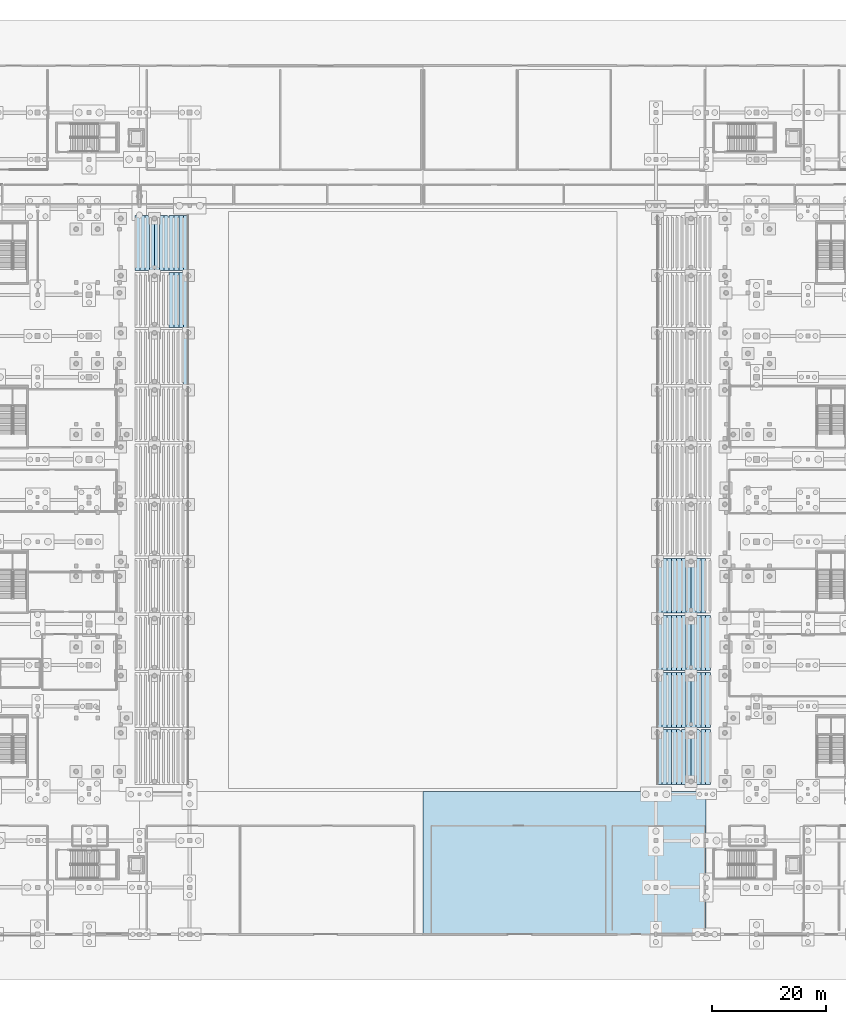
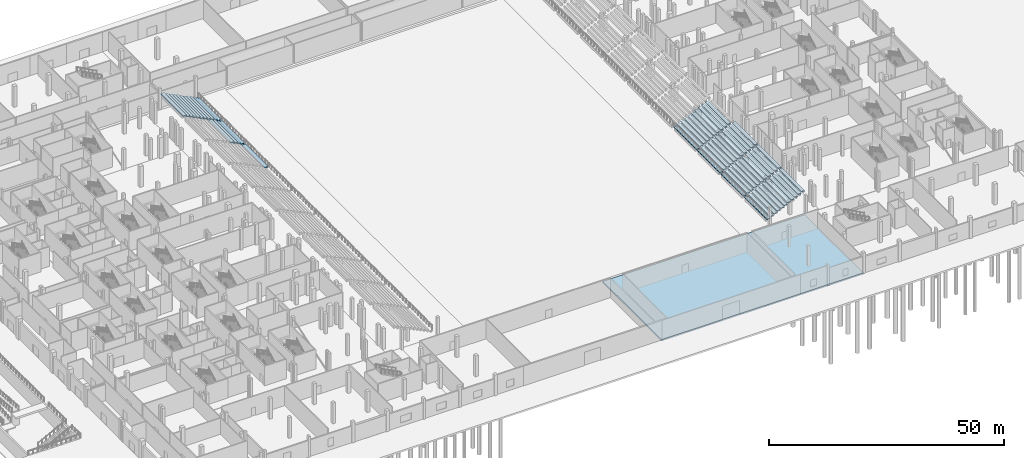
# One storey, part 25 of 89: 60 slabs.
"""IFC4 building model written with IfcOpenShell, lengths in metres."""

from ifc_helpers import new_model, si_unit, direction, frame, origin, place, context, subcontext, project, spatial, polyline, outline, extrude, material, layer, layer_set, type_object, element, save


model = new_model("IFC4")

# Units and contexts
model_context = context("Model", 3, precision=1e-05, world=origin(), true_north=direction((0.0, 1.0)))
body_context = subcontext(model_context, "Body", "Model", "MODEL_VIEW")
ifc_project = project(units=[si_unit("LENGTHUNIT", "METRE"), si_unit("AREAUNIT", "SQUARE_METRE"), si_unit("VOLUMEUNIT", "CUBIC_METRE"), si_unit("PLANEANGLEUNIT", "RADIAN"), si_unit("MASSUNIT", "GRAM", prefix="KILO")], contexts=[model_context])

# Site, building, storey
site_placement = place(None, origin())
site = spatial("IfcSite", under=ifc_project, at=site_placement, CompositionType="ELEMENT")
building_placement = place(site_placement, origin())
building = spatial("IfcBuilding", under=site, at=building_placement, Name="Koshinbarg Plaza Stadium", CompositionType="ELEMENT")
storey_placement = place(building_placement, origin())
storey = spatial("IfcBuildingStorey", under=building, at=storey_placement, Name="L00", CompositionType="ELEMENT", Elevation=0.0)

# Slabs
ifc_material_1 = material(Name="Concrete C35/45", Category="concrete")
ifc_layer_1 = layer(ifc_material_1, 0.39990234375)
ifc_layer_set_1 = layer_set([ifc_layer_1], Name="Concrete C35/45")
slab_type_1 = type_object("IfcSlabType", Name="SL-BASE-400", PredefinedType="BASESLAB", material=ifc_layer_set_1)
slab_1_placement = place(storey_placement, frame((0.0, 0.0, -0.39990234375)))
element("IfcSlab", 1, at=slab_1_placement, inside=storey, type_object=slab_type_1, Name="L00 V4 structural slab 16", PredefinedType="BASESLAB", context=body_context, shape_type="SweptSolid", body=[
    extrude(outline(polyline([(122.0, 0.0), (171.60009765625, 0.0), (171.60009765625, 24.955078125), (122.0, 24.955078125), (122.0, 0.0)])), origin(), (0.0, 0.0, 1.0), 0.39990234375),
])
ifc_material_2 = material(Name="Precast concrete C40/50", Category="concrete")
ifc_layer_2 = layer(ifc_material_2, 0.219970703125)
ifc_layer_set_2 = layer_set([ifc_layer_2], Name="Precast concrete C40/50")
slab_type_2 = type_object("IfcSlabType", Name="SL-TIER-LT", PredefinedType="USERDEFINED", material=ifc_layer_set_2)
slab_2_placement = place(storey_placement, frame((0.0, 0.0, 0.800048828125)))
element("IfcSlab", 2, at=slab_2_placement, inside=storey, type_object=slab_type_2, Name="Stand lower seating tier LT-W08 row 1", ObjectType="SEATING TIER", PredefinedType="USERDEFINED", context=body_context, shape_type="SweptSolid", body=[
    extrude(outline(polyline([(80.14990234375, 96.199951171875), (81.0, 96.199951171875), (81.0, 105.800048828125), (80.14990234375, 105.800048828125), (80.14990234375, 96.199951171875)])), origin(), (0.0, 0.0, 1.0), 0.219970703125),
])
slab_3_placement = place(storey_placement, frame((0.0, 0.0, 0.800048828125)))
element("IfcSlab", 3, at=slab_3_placement, inside=storey, type_object=slab_type_2, Name="Stand lower seating tier LT-W09 row 1", ObjectType="SEATING TIER", PredefinedType="USERDEFINED", context=body_context, shape_type="SweptSolid", body=[
    extrude(outline(polyline([(80.14990234375, 106.199951171875), (81.0, 106.199951171875), (81.0, 115.800048828125), (80.14990234375, 115.800048828125), (80.14990234375, 106.199951171875)])), origin(), (0.0, 0.0, 1.0), 0.219970703125),
])
slab_4_placement = place(storey_placement, frame((0.0, 0.0, 1.219970703125)))
element("IfcSlab", 4, at=slab_4_placement, inside=storey, type_object=slab_type_2, Name="Stand lower seating tier LT-W09 row 2", ObjectType="SEATING TIER", PredefinedType="USERDEFINED", context=body_context, shape_type="SweptSolid", body=[
    extrude(outline(polyline([(79.300048828125, 106.199951171875), (80.14990234375, 106.199951171875), (80.14990234375, 115.800048828125), (79.300048828125, 115.800048828125), (79.300048828125, 106.199951171875)])), origin(), (0.0, 0.0, 1.0), 0.219970703125),
])
slab_5_placement = place(storey_placement, frame((0.0, 0.0, 1.639892578125)))
element("IfcSlab", 5, at=slab_5_placement, inside=storey, type_object=slab_type_2, Name="Stand lower seating tier LT-W09 row 3", ObjectType="SEATING TIER", PredefinedType="USERDEFINED", context=body_context, shape_type="SweptSolid", body=[
    extrude(outline(polyline([(78.449951171875, 106.199951171875), (79.300048828125, 106.199951171875), (79.300048828125, 115.800048828125), (78.449951171875, 115.800048828125), (78.449951171875, 106.199951171875)])), origin(), (0.0, 0.0, 1.0), 0.22021484375),
])
slab_6_placement = place(storey_placement, frame((0.0, 0.0, 2.06005859375)))
element("IfcSlab", 6, at=slab_6_placement, inside=storey, type_object=slab_type_2, Name="Stand lower seating tier LT-W09 row 4", ObjectType="SEATING TIER", PredefinedType="USERDEFINED", context=body_context, shape_type="SweptSolid", body=[
    extrude(outline(polyline([(77.60009765625, 106.199951171875), (78.449951171875, 106.199951171875), (78.449951171875, 115.800048828125), (77.60009765625, 115.800048828125), (77.60009765625, 106.199951171875)])), origin(), (0.0, 0.0, 1.0), 0.219970703125),
])
slab_7_placement = place(storey_placement, frame((0.0, 0.0, 0.800048828125)))
element("IfcSlab", 7, at=slab_7_placement, inside=storey, type_object=slab_type_2, Name="Stand lower seating tier LT-W10 row 1", ObjectType="SEATING TIER", PredefinedType="USERDEFINED", context=body_context, shape_type="SweptSolid", body=[
    extrude(outline(polyline([(80.14990234375, 116.199951171875), (81.0, 116.199951171875), (81.0, 125.449951171875), (80.64990234375, 125.800048828125), (80.14990234375, 125.800048828125), (80.14990234375, 116.199951171875)])), origin(), (0.0, 0.0, 1.0), 0.219970703125),
])
slab_8_placement = place(storey_placement, frame((0.0, 0.0, 1.219970703125)))
element("IfcSlab", 8, at=slab_8_placement, inside=storey, type_object=slab_type_2, Name="Stand lower seating tier LT-W10 row 2", ObjectType="SEATING TIER", PredefinedType="USERDEFINED", context=body_context, shape_type="SweptSolid", body=[
    extrude(outline(polyline([(79.300048828125, 116.199951171875), (80.14990234375, 116.199951171875), (80.14990234375, 125.800048828125), (79.300048828125, 125.800048828125), (79.300048828125, 116.199951171875)])), origin(), (0.0, 0.0, 1.0), 0.219970703125),
])
slab_9_placement = place(storey_placement, frame((0.0, 0.0, 1.639892578125)))
element("IfcSlab", 9, at=slab_9_placement, inside=storey, type_object=slab_type_2, Name="Stand lower seating tier LT-W10 row 3", ObjectType="SEATING TIER", PredefinedType="USERDEFINED", context=body_context, shape_type="SweptSolid", body=[
    extrude(outline(polyline([(78.449951171875, 116.199951171875), (79.300048828125, 116.199951171875), (79.300048828125, 125.800048828125), (78.449951171875, 125.800048828125), (78.449951171875, 116.199951171875)])), origin(), (0.0, 0.0, 1.0), 0.22021484375),
])
slab_10_placement = place(storey_placement, frame((0.0, 0.0, 2.06005859375)))
element("IfcSlab", 10, at=slab_10_placement, inside=storey, type_object=slab_type_2, Name="Stand lower seating tier LT-W10 row 4", ObjectType="SEATING TIER", PredefinedType="USERDEFINED", context=body_context, shape_type="SweptSolid", body=[
    extrude(outline(polyline([(77.60009765625, 116.199951171875), (78.449951171875, 116.199951171875), (78.449951171875, 125.800048828125), (77.60009765625, 125.800048828125), (77.60009765625, 116.199951171875)])), origin(), (0.0, 0.0, 1.0), 0.219970703125),
])
slab_11_placement = place(storey_placement, frame((0.0, 0.0, 2.47998046875)))
element("IfcSlab", 11, at=slab_11_placement, inside=storey, type_object=slab_type_2, Name="Stand lower seating tier LT-W10 row 5", ObjectType="SEATING TIER", PredefinedType="USERDEFINED", context=body_context, shape_type="SweptSolid", body=[
    extrude(outline(polyline([(76.75, 116.199951171875), (77.60009765625, 116.199951171875), (77.60009765625, 125.449951171875), (77.25, 125.800048828125), (76.75, 125.800048828125), (76.75, 116.199951171875)])), origin(), (0.0, 0.0, 1.0), 0.219970703125),
])
slab_12_placement = place(storey_placement, frame((0.0, 0.0, 2.89990234375)))
element("IfcSlab", 12, at=slab_12_placement, inside=storey, type_object=slab_type_2, Name="Stand lower seating tier LT-W10 row 6", ObjectType="SEATING TIER", PredefinedType="USERDEFINED", context=body_context, shape_type="SweptSolid", body=[
    extrude(outline(polyline([(75.89990234375, 116.199951171875), (76.75, 116.199951171875), (76.75, 125.800048828125), (75.89990234375, 125.800048828125), (75.89990234375, 116.199951171875)])), origin(), (0.0, 0.0, 1.0), 0.22021484375),
])
slab_13_placement = place(storey_placement, frame((0.0, 0.0, 3.320068359375)))
element("IfcSlab", 13, at=slab_13_placement, inside=storey, type_object=slab_type_2, Name="Stand lower seating tier LT-W10 row 7", ObjectType="SEATING TIER", PredefinedType="USERDEFINED", context=body_context, shape_type="SweptSolid", body=[
    extrude(outline(polyline([(75.050048828125, 116.199951171875), (75.89990234375, 116.199951171875), (75.89990234375, 125.800048828125), (75.050048828125, 125.800048828125), (75.050048828125, 116.199951171875)])), origin(), (0.0, 0.0, 1.0), 0.219970703125),
])
slab_14_placement = place(storey_placement, frame((0.0, 0.0, 3.739990234375)))
element("IfcSlab", 14, at=slab_14_placement, inside=storey, type_object=slab_type_2, Name="Stand lower seating tier LT-W10 row 8", ObjectType="SEATING TIER", PredefinedType="USERDEFINED", context=body_context, shape_type="SweptSolid", body=[
    extrude(outline(polyline([(74.199951171875, 116.199951171875), (75.050048828125, 116.199951171875), (75.050048828125, 125.800048828125), (74.199951171875, 125.800048828125), (74.199951171875, 116.199951171875)])), origin(), (0.0, 0.0, 1.0), 0.219970703125),
])
slab_15_placement = place(storey_placement, frame((0.0, 0.0, 4.159912109375)))
element("IfcSlab", 15, at=slab_15_placement, inside=storey, type_object=slab_type_2, Name="Stand lower seating tier LT-W10 row 9", ObjectType="SEATING TIER", PredefinedType="USERDEFINED", context=body_context, shape_type="SweptSolid", body=[
    extrude(outline(polyline([(73.35009765625, 116.199951171875), (74.199951171875, 116.199951171875), (74.199951171875, 125.449951171875), (73.85009765625, 125.800048828125), (73.35009765625, 125.800048828125), (73.35009765625, 116.199951171875)])), origin(), (0.0, 0.0, 1.0), 0.219970703125),
])
slab_16_placement = place(storey_placement, frame((0.0, 0.0, 4.580078125)))
element("IfcSlab", 16, at=slab_16_placement, inside=storey, type_object=slab_type_2, Name="Stand lower seating tier LT-W10 row 10", ObjectType="SEATING TIER", PredefinedType="USERDEFINED", context=body_context, shape_type="SweptSolid", body=[
    extrude(outline(polyline([(72.5, 116.199951171875), (73.35009765625, 116.199951171875), (73.35009765625, 125.800048828125), (72.5, 125.800048828125), (72.5, 116.199951171875)])), origin(), (0.0, 0.0, 1.0), 0.219970703125),
])
slab_17_placement = place(storey_placement, frame((0.0, 0.0, 5.0)))
element("IfcSlab", 17, at=slab_17_placement, inside=storey, type_object=slab_type_2, Name="Stand lower seating tier LT-W10 row 11", ObjectType="SEATING TIER", PredefinedType="USERDEFINED", context=body_context, shape_type="SweptSolid", body=[
    extrude(outline(polyline([(71.64990234375, 116.199951171875), (72.5, 116.199951171875), (72.5, 125.800048828125), (71.64990234375, 125.800048828125), (71.64990234375, 116.199951171875)])), origin(), (0.0, 0.0, 1.0), 0.219970703125),
])
slab_18_placement = place(storey_placement, frame((0.0, 0.0, 0.800048828125)))
element("IfcSlab", 18, at=slab_18_placement, inside=storey, type_object=slab_type_2, Name="Stand lower seating tier LT-E01 row 1", ObjectType="SEATING TIER", PredefinedType="USERDEFINED", context=body_context, shape_type="SweptSolid", body=[
    extrude(outline(polyline([(163.0, 26.199951171875), (163.85009765625, 26.199951171875), (163.85009765625, 35.449951171875), (163.5, 35.800048828125), (163.0, 35.800048828125), (163.0, 26.199951171875)])), origin(), (0.0, 0.0, 1.0), 0.219970703125),
])
slab_19_placement = place(storey_placement, frame((0.0, 0.0, 1.219970703125)))
element("IfcSlab", 19, at=slab_19_placement, inside=storey, type_object=slab_type_2, Name="Stand lower seating tier LT-E01 row 2", ObjectType="SEATING TIER", PredefinedType="USERDEFINED", context=body_context, shape_type="SweptSolid", body=[
    extrude(outline(polyline([(163.85009765625, 26.199951171875), (164.699951171875, 26.199951171875), (164.699951171875, 35.800048828125), (163.85009765625, 35.800048828125), (163.85009765625, 26.199951171875)])), origin(), (0.0, 0.0, 1.0), 0.219970703125),
])
slab_20_placement = place(storey_placement, frame((0.0, 0.0, 1.639892578125)))
element("IfcSlab", 20, at=slab_20_placement, inside=storey, type_object=slab_type_2, Name="Stand lower seating tier LT-E01 row 3", ObjectType="SEATING TIER", PredefinedType="USERDEFINED", context=body_context, shape_type="SweptSolid", body=[
    extrude(outline(polyline([(164.699951171875, 26.199951171875), (165.550048828125, 26.199951171875), (165.550048828125, 35.800048828125), (164.699951171875, 35.800048828125), (164.699951171875, 26.199951171875)])), origin(), (0.0, 0.0, 1.0), 0.22021484375),
])
slab_21_placement = place(storey_placement, frame((0.0, 0.0, 2.06005859375)))
element("IfcSlab", 21, at=slab_21_placement, inside=storey, type_object=slab_type_2, Name="Stand lower seating tier LT-E01 row 4", ObjectType="SEATING TIER", PredefinedType="USERDEFINED", context=body_context, shape_type="SweptSolid", body=[
    extrude(outline(polyline([(165.550048828125, 26.199951171875), (166.39990234375, 26.199951171875), (166.39990234375, 35.800048828125), (165.550048828125, 35.800048828125), (165.550048828125, 26.199951171875)])), origin(), (0.0, 0.0, 1.0), 0.219970703125),
])
slab_22_placement = place(storey_placement, frame((0.0, 0.0, 2.47998046875)))
element("IfcSlab", 22, at=slab_22_placement, inside=storey, type_object=slab_type_2, Name="Stand lower seating tier LT-E01 row 5", ObjectType="SEATING TIER", PredefinedType="USERDEFINED", context=body_context, shape_type="SweptSolid", body=[
    extrude(outline(polyline([(166.39990234375, 26.199951171875), (167.25, 26.199951171875), (167.25, 35.449951171875), (166.89990234375, 35.800048828125), (166.39990234375, 35.800048828125), (166.39990234375, 26.199951171875)])), origin(), (0.0, 0.0, 1.0), 0.219970703125),
])
slab_23_placement = place(storey_placement, frame((0.0, 0.0, 2.89990234375)))
element("IfcSlab", 23, at=slab_23_placement, inside=storey, type_object=slab_type_2, Name="Stand lower seating tier LT-E01 row 6", ObjectType="SEATING TIER", PredefinedType="USERDEFINED", context=body_context, shape_type="SweptSolid", body=[
    extrude(outline(polyline([(167.25, 26.199951171875), (168.10009765625, 26.199951171875), (168.10009765625, 35.800048828125), (167.25, 35.800048828125), (167.25, 26.199951171875)])), origin(), (0.0, 0.0, 1.0), 0.22021484375),
])
slab_24_placement = place(storey_placement, frame((0.0, 0.0, 3.320068359375)))
element("IfcSlab", 24, at=slab_24_placement, inside=storey, type_object=slab_type_2, Name="Stand lower seating tier LT-E01 row 7", ObjectType="SEATING TIER", PredefinedType="USERDEFINED", context=body_context, shape_type="SweptSolid", body=[
    extrude(outline(polyline([(168.10009765625, 26.199951171875), (168.949951171875, 26.199951171875), (168.949951171875, 35.800048828125), (168.10009765625, 35.800048828125), (168.10009765625, 26.199951171875)])), origin(), (0.0, 0.0, 1.0), 0.219970703125),
])
slab_25_placement = place(storey_placement, frame((0.0, 0.0, 3.739990234375)))
element("IfcSlab", 25, at=slab_25_placement, inside=storey, type_object=slab_type_2, Name="Stand lower seating tier LT-E01 row 8", ObjectType="SEATING TIER", PredefinedType="USERDEFINED", context=body_context, shape_type="SweptSolid", body=[
    extrude(outline(polyline([(168.949951171875, 26.199951171875), (169.800048828125, 26.199951171875), (169.800048828125, 35.800048828125), (168.949951171875, 35.800048828125), (168.949951171875, 26.199951171875)])), origin(), (0.0, 0.0, 1.0), 0.219970703125),
])
slab_26_placement = place(storey_placement, frame((0.0, 0.0, 4.159912109375)))
element("IfcSlab", 26, at=slab_26_placement, inside=storey, type_object=slab_type_2, Name="Stand lower seating tier LT-E01 row 9", ObjectType="SEATING TIER", PredefinedType="USERDEFINED", context=body_context, shape_type="SweptSolid", body=[
    extrude(outline(polyline([(169.800048828125, 26.199951171875), (170.64990234375, 26.199951171875), (170.64990234375, 35.449951171875), (170.300048828125, 35.800048828125), (169.800048828125, 35.800048828125), (169.800048828125, 26.199951171875)])), origin(), (0.0, 0.0, 1.0), 0.219970703125),
])
slab_27_placement = place(storey_placement, frame((0.0, 0.0, 4.580078125)))
element("IfcSlab", 27, at=slab_27_placement, inside=storey, type_object=slab_type_2, Name="Stand lower seating tier LT-E01 row 10", ObjectType="SEATING TIER", PredefinedType="USERDEFINED", context=body_context, shape_type="SweptSolid", body=[
    extrude(outline(polyline([(170.64990234375, 26.199951171875), (171.5, 26.199951171875), (171.5, 35.800048828125), (170.64990234375, 35.800048828125), (170.64990234375, 26.199951171875)])), origin(), (0.0, 0.0, 1.0), 0.219970703125),
])
slab_28_placement = place(storey_placement, frame((0.0, 0.0, 5.0)))
element("IfcSlab", 28, at=slab_28_placement, inside=storey, type_object=slab_type_2, Name="Stand lower seating tier LT-E01 row 11", ObjectType="SEATING TIER", PredefinedType="USERDEFINED", context=body_context, shape_type="SweptSolid", body=[
    extrude(outline(polyline([(171.5, 26.199951171875), (172.35009765625, 26.199951171875), (172.35009765625, 35.800048828125), (171.5, 35.800048828125), (171.5, 26.199951171875)])), origin(), (0.0, 0.0, 1.0), 0.219970703125),
])
slab_29_placement = place(storey_placement, frame((0.0, 0.0, 0.800048828125)))
element("IfcSlab", 29, at=slab_29_placement, inside=storey, type_object=slab_type_2, Name="Stand lower seating tier LT-E02 row 1", ObjectType="SEATING TIER", PredefinedType="USERDEFINED", context=body_context, shape_type="SweptSolid", body=[
    extrude(outline(polyline([(163.0, 36.199951171875), (163.85009765625, 36.199951171875), (163.85009765625, 45.800048828125), (163.0, 45.800048828125), (163.0, 36.199951171875)])), origin(), (0.0, 0.0, 1.0), 0.219970703125),
])
slab_30_placement = place(storey_placement, frame((0.0, 0.0, 1.219970703125)))
element("IfcSlab", 30, at=slab_30_placement, inside=storey, type_object=slab_type_2, Name="Stand lower seating tier LT-E02 row 2", ObjectType="SEATING TIER", PredefinedType="USERDEFINED", context=body_context, shape_type="SweptSolid", body=[
    extrude(outline(polyline([(163.85009765625, 36.199951171875), (164.699951171875, 36.199951171875), (164.699951171875, 45.800048828125), (163.85009765625, 45.800048828125), (163.85009765625, 36.199951171875)])), origin(), (0.0, 0.0, 1.0), 0.219970703125),
])
slab_31_placement = place(storey_placement, frame((0.0, 0.0, 1.639892578125)))
element("IfcSlab", 31, at=slab_31_placement, inside=storey, type_object=slab_type_2, Name="Stand lower seating tier LT-E02 row 3", ObjectType="SEATING TIER", PredefinedType="USERDEFINED", context=body_context, shape_type="SweptSolid", body=[
    extrude(outline(polyline([(164.699951171875, 36.199951171875), (165.550048828125, 36.199951171875), (165.550048828125, 45.800048828125), (164.699951171875, 45.800048828125), (164.699951171875, 36.199951171875)])), origin(), (0.0, 0.0, 1.0), 0.22021484375),
])
slab_32_placement = place(storey_placement, frame((0.0, 0.0, 2.06005859375)))
element("IfcSlab", 32, at=slab_32_placement, inside=storey, type_object=slab_type_2, Name="Stand lower seating tier LT-E02 row 4", ObjectType="SEATING TIER", PredefinedType="USERDEFINED", context=body_context, shape_type="SweptSolid", body=[
    extrude(outline(polyline([(165.550048828125, 36.199951171875), (166.39990234375, 36.199951171875), (166.39990234375, 45.800048828125), (165.550048828125, 45.800048828125), (165.550048828125, 36.199951171875)])), origin(), (0.0, 0.0, 1.0), 0.219970703125),
])
slab_33_placement = place(storey_placement, frame((0.0, 0.0, 2.47998046875)))
element("IfcSlab", 33, at=slab_33_placement, inside=storey, type_object=slab_type_2, Name="Stand lower seating tier LT-E02 row 5", ObjectType="SEATING TIER", PredefinedType="USERDEFINED", context=body_context, shape_type="SweptSolid", body=[
    extrude(outline(polyline([(166.39990234375, 36.199951171875), (167.25, 36.199951171875), (167.25, 45.800048828125), (166.39990234375, 45.800048828125), (166.39990234375, 36.199951171875)])), origin(), (0.0, 0.0, 1.0), 0.219970703125),
])
slab_34_placement = place(storey_placement, frame((0.0, 0.0, 2.89990234375)))
element("IfcSlab", 34, at=slab_34_placement, inside=storey, type_object=slab_type_2, Name="Stand lower seating tier LT-E02 row 6", ObjectType="SEATING TIER", PredefinedType="USERDEFINED", context=body_context, shape_type="SweptSolid", body=[
    extrude(outline(polyline([(167.25, 36.199951171875), (168.10009765625, 36.199951171875), (168.10009765625, 45.800048828125), (167.25, 45.800048828125), (167.25, 36.199951171875)])), origin(), (0.0, 0.0, 1.0), 0.22021484375),
])
slab_35_placement = place(storey_placement, frame((0.0, 0.0, 3.320068359375)))
element("IfcSlab", 35, at=slab_35_placement, inside=storey, type_object=slab_type_2, Name="Stand lower seating tier LT-E02 row 7", ObjectType="SEATING TIER", PredefinedType="USERDEFINED", context=body_context, shape_type="SweptSolid", body=[
    extrude(outline(polyline([(168.10009765625, 36.199951171875), (168.949951171875, 36.199951171875), (168.949951171875, 45.800048828125), (168.10009765625, 45.800048828125), (168.10009765625, 36.199951171875)])), origin(), (0.0, 0.0, 1.0), 0.219970703125),
])
slab_36_placement = place(storey_placement, frame((0.0, 0.0, 3.739990234375)))
element("IfcSlab", 36, at=slab_36_placement, inside=storey, type_object=slab_type_2, Name="Stand lower seating tier LT-E02 row 8", ObjectType="SEATING TIER", PredefinedType="USERDEFINED", context=body_context, shape_type="SweptSolid", body=[
    extrude(outline(polyline([(168.949951171875, 36.199951171875), (169.800048828125, 36.199951171875), (169.800048828125, 45.800048828125), (168.949951171875, 45.800048828125), (168.949951171875, 36.199951171875)])), origin(), (0.0, 0.0, 1.0), 0.219970703125),
])
slab_37_placement = place(storey_placement, frame((0.0, 0.0, 4.159912109375)))
element("IfcSlab", 37, at=slab_37_placement, inside=storey, type_object=slab_type_2, Name="Stand lower seating tier LT-E02 row 9", ObjectType="SEATING TIER", PredefinedType="USERDEFINED", context=body_context, shape_type="SweptSolid", body=[
    extrude(outline(polyline([(169.800048828125, 36.199951171875), (170.64990234375, 36.199951171875), (170.64990234375, 45.800048828125), (169.800048828125, 45.800048828125), (169.800048828125, 36.199951171875)])), origin(), (0.0, 0.0, 1.0), 0.219970703125),
])
slab_38_placement = place(storey_placement, frame((0.0, 0.0, 4.580078125)))
element("IfcSlab", 38, at=slab_38_placement, inside=storey, type_object=slab_type_2, Name="Stand lower seating tier LT-E02 row 10", ObjectType="SEATING TIER", PredefinedType="USERDEFINED", context=body_context, shape_type="SweptSolid", body=[
    extrude(outline(polyline([(170.64990234375, 36.199951171875), (171.5, 36.199951171875), (171.5, 45.800048828125), (170.64990234375, 45.800048828125), (170.64990234375, 36.199951171875)])), origin(), (0.0, 0.0, 1.0), 0.219970703125),
])
slab_39_placement = place(storey_placement, frame((0.0, 0.0, 5.0)))
element("IfcSlab", 39, at=slab_39_placement, inside=storey, type_object=slab_type_2, Name="Stand lower seating tier LT-E02 row 11", ObjectType="SEATING TIER", PredefinedType="USERDEFINED", context=body_context, shape_type="SweptSolid", body=[
    extrude(outline(polyline([(171.5, 36.199951171875), (172.35009765625, 36.199951171875), (172.35009765625, 45.800048828125), (171.5, 45.800048828125), (171.5, 36.199951171875)])), origin(), (0.0, 0.0, 1.0), 0.219970703125),
])
slab_40_placement = place(storey_placement, frame((0.0, 0.0, 0.800048828125)))
element("IfcSlab", 40, at=slab_40_placement, inside=storey, type_object=slab_type_2, Name="Stand lower seating tier LT-E03 row 1", ObjectType="SEATING TIER", PredefinedType="USERDEFINED", context=body_context, shape_type="SweptSolid", body=[
    extrude(outline(polyline([(163.0, 46.199951171875), (163.85009765625, 46.199951171875), (163.85009765625, 55.800048828125), (163.0, 55.800048828125), (163.0, 46.199951171875)])), origin(), (0.0, 0.0, 1.0), 0.219970703125),
])
slab_41_placement = place(storey_placement, frame((0.0, 0.0, 1.219970703125)))
element("IfcSlab", 41, at=slab_41_placement, inside=storey, type_object=slab_type_2, Name="Stand lower seating tier LT-E03 row 2", ObjectType="SEATING TIER", PredefinedType="USERDEFINED", context=body_context, shape_type="SweptSolid", body=[
    extrude(outline(polyline([(163.85009765625, 46.199951171875), (164.699951171875, 46.199951171875), (164.699951171875, 55.800048828125), (163.85009765625, 55.800048828125), (163.85009765625, 46.199951171875)])), origin(), (0.0, 0.0, 1.0), 0.219970703125),
])
slab_42_placement = place(storey_placement, frame((0.0, 0.0, 1.639892578125)))
element("IfcSlab", 42, at=slab_42_placement, inside=storey, type_object=slab_type_2, Name="Stand lower seating tier LT-E03 row 3", ObjectType="SEATING TIER", PredefinedType="USERDEFINED", context=body_context, shape_type="SweptSolid", body=[
    extrude(outline(polyline([(164.699951171875, 46.199951171875), (165.550048828125, 46.199951171875), (165.550048828125, 55.800048828125), (164.699951171875, 55.800048828125), (164.699951171875, 46.199951171875)])), origin(), (0.0, 0.0, 1.0), 0.22021484375),
])
slab_43_placement = place(storey_placement, frame((0.0, 0.0, 2.06005859375)))
element("IfcSlab", 43, at=slab_43_placement, inside=storey, type_object=slab_type_2, Name="Stand lower seating tier LT-E03 row 4", ObjectType="SEATING TIER", PredefinedType="USERDEFINED", context=body_context, shape_type="SweptSolid", body=[
    extrude(outline(polyline([(165.550048828125, 46.199951171875), (166.39990234375, 46.199951171875), (166.39990234375, 55.800048828125), (165.550048828125, 55.800048828125), (165.550048828125, 46.199951171875)])), origin(), (0.0, 0.0, 1.0), 0.219970703125),
])
slab_44_placement = place(storey_placement, frame((0.0, 0.0, 2.47998046875)))
element("IfcSlab", 44, at=slab_44_placement, inside=storey, type_object=slab_type_2, Name="Stand lower seating tier LT-E03 row 5", ObjectType="SEATING TIER", PredefinedType="USERDEFINED", context=body_context, shape_type="SweptSolid", body=[
    extrude(outline(polyline([(166.39990234375, 46.199951171875), (167.25, 46.199951171875), (167.25, 55.800048828125), (166.39990234375, 55.800048828125), (166.39990234375, 46.199951171875)])), origin(), (0.0, 0.0, 1.0), 0.219970703125),
])
slab_45_placement = place(storey_placement, frame((0.0, 0.0, 2.89990234375)))
element("IfcSlab", 45, at=slab_45_placement, inside=storey, type_object=slab_type_2, Name="Stand lower seating tier LT-E03 row 6", ObjectType="SEATING TIER", PredefinedType="USERDEFINED", context=body_context, shape_type="SweptSolid", body=[
    extrude(outline(polyline([(167.25, 46.199951171875), (168.10009765625, 46.199951171875), (168.10009765625, 55.800048828125), (167.25, 55.800048828125), (167.25, 46.199951171875)])), origin(), (0.0, 0.0, 1.0), 0.22021484375),
])
slab_46_placement = place(storey_placement, frame((0.0, 0.0, 3.320068359375)))
element("IfcSlab", 46, at=slab_46_placement, inside=storey, type_object=slab_type_2, Name="Stand lower seating tier LT-E03 row 7", ObjectType="SEATING TIER", PredefinedType="USERDEFINED", context=body_context, shape_type="SweptSolid", body=[
    extrude(outline(polyline([(168.10009765625, 46.199951171875), (168.949951171875, 46.199951171875), (168.949951171875, 55.800048828125), (168.10009765625, 55.800048828125), (168.10009765625, 46.199951171875)])), origin(), (0.0, 0.0, 1.0), 0.219970703125),
])
slab_47_placement = place(storey_placement, frame((0.0, 0.0, 3.739990234375)))
element("IfcSlab", 47, at=slab_47_placement, inside=storey, type_object=slab_type_2, Name="Stand lower seating tier LT-E03 row 8", ObjectType="SEATING TIER", PredefinedType="USERDEFINED", context=body_context, shape_type="SweptSolid", body=[
    extrude(outline(polyline([(168.949951171875, 46.199951171875), (169.800048828125, 46.199951171875), (169.800048828125, 55.800048828125), (168.949951171875, 55.800048828125), (168.949951171875, 46.199951171875)])), origin(), (0.0, 0.0, 1.0), 0.219970703125),
])
slab_48_placement = place(storey_placement, frame((0.0, 0.0, 4.159912109375)))
element("IfcSlab", 48, at=slab_48_placement, inside=storey, type_object=slab_type_2, Name="Stand lower seating tier LT-E03 row 9", ObjectType="SEATING TIER", PredefinedType="USERDEFINED", context=body_context, shape_type="SweptSolid", body=[
    extrude(outline(polyline([(169.800048828125, 46.199951171875), (170.64990234375, 46.199951171875), (170.64990234375, 55.800048828125), (169.800048828125, 55.800048828125), (169.800048828125, 46.199951171875)])), origin(), (0.0, 0.0, 1.0), 0.219970703125),
])
slab_49_placement = place(storey_placement, frame((0.0, 0.0, 4.580078125)))
element("IfcSlab", 49, at=slab_49_placement, inside=storey, type_object=slab_type_2, Name="Stand lower seating tier LT-E03 row 10", ObjectType="SEATING TIER", PredefinedType="USERDEFINED", context=body_context, shape_type="SweptSolid", body=[
    extrude(outline(polyline([(170.64990234375, 46.199951171875), (171.5, 46.199951171875), (171.5, 55.800048828125), (170.64990234375, 55.800048828125), (170.64990234375, 46.199951171875)])), origin(), (0.0, 0.0, 1.0), 0.219970703125),
])
slab_50_placement = place(storey_placement, frame((0.0, 0.0, 5.0)))
element("IfcSlab", 50, at=slab_50_placement, inside=storey, type_object=slab_type_2, Name="Stand lower seating tier LT-E03 row 11", ObjectType="SEATING TIER", PredefinedType="USERDEFINED", context=body_context, shape_type="SweptSolid", body=[
    extrude(outline(polyline([(171.5, 46.199951171875), (172.35009765625, 46.199951171875), (172.35009765625, 55.800048828125), (171.5, 55.800048828125), (171.5, 46.199951171875)])), origin(), (0.0, 0.0, 1.0), 0.219970703125),
])
slab_51_placement = place(storey_placement, frame((0.0, 0.0, 0.800048828125)))
element("IfcSlab", 51, at=slab_51_placement, inside=storey, type_object=slab_type_2, Name="Stand lower seating tier LT-E04 row 1", ObjectType="SEATING TIER", PredefinedType="USERDEFINED", context=body_context, shape_type="SweptSolid", body=[
    extrude(outline(polyline([(163.0, 56.199951171875), (163.85009765625, 56.199951171875), (163.85009765625, 65.800048828125), (163.0, 65.800048828125), (163.0, 56.199951171875)])), origin(), (0.0, 0.0, 1.0), 0.219970703125),
])
slab_52_placement = place(storey_placement, frame((0.0, 0.0, 1.219970703125)))
element("IfcSlab", 52, at=slab_52_placement, inside=storey, type_object=slab_type_2, Name="Stand lower seating tier LT-E04 row 2", ObjectType="SEATING TIER", PredefinedType="USERDEFINED", context=body_context, shape_type="SweptSolid", body=[
    extrude(outline(polyline([(163.85009765625, 56.199951171875), (164.699951171875, 56.199951171875), (164.699951171875, 65.800048828125), (163.85009765625, 65.800048828125), (163.85009765625, 56.199951171875)])), origin(), (0.0, 0.0, 1.0), 0.219970703125),
])
slab_53_placement = place(storey_placement, frame((0.0, 0.0, 1.639892578125)))
element("IfcSlab", 53, at=slab_53_placement, inside=storey, type_object=slab_type_2, Name="Stand lower seating tier LT-E04 row 3", ObjectType="SEATING TIER", PredefinedType="USERDEFINED", context=body_context, shape_type="SweptSolid", body=[
    extrude(outline(polyline([(164.699951171875, 56.199951171875), (165.550048828125, 56.199951171875), (165.550048828125, 65.800048828125), (164.699951171875, 65.800048828125), (164.699951171875, 56.199951171875)])), origin(), (0.0, 0.0, 1.0), 0.22021484375),
])
slab_54_placement = place(storey_placement, frame((0.0, 0.0, 2.06005859375)))
element("IfcSlab", 54, at=slab_54_placement, inside=storey, type_object=slab_type_2, Name="Stand lower seating tier LT-E04 row 4", ObjectType="SEATING TIER", PredefinedType="USERDEFINED", context=body_context, shape_type="SweptSolid", body=[
    extrude(outline(polyline([(165.550048828125, 56.199951171875), (166.39990234375, 56.199951171875), (166.39990234375, 65.800048828125), (165.550048828125, 65.800048828125), (165.550048828125, 56.199951171875)])), origin(), (0.0, 0.0, 1.0), 0.219970703125),
])
slab_55_placement = place(storey_placement, frame((0.0, 0.0, 2.47998046875)))
element("IfcSlab", 55, at=slab_55_placement, inside=storey, type_object=slab_type_2, Name="Stand lower seating tier LT-E04 row 5", ObjectType="SEATING TIER", PredefinedType="USERDEFINED", context=body_context, shape_type="SweptSolid", body=[
    extrude(outline(polyline([(166.39990234375, 56.199951171875), (167.25, 56.199951171875), (167.25, 65.800048828125), (166.39990234375, 65.800048828125), (166.39990234375, 56.199951171875)])), origin(), (0.0, 0.0, 1.0), 0.219970703125),
])
slab_56_placement = place(storey_placement, frame((0.0, 0.0, 2.89990234375)))
element("IfcSlab", 56, at=slab_56_placement, inside=storey, type_object=slab_type_2, Name="Stand lower seating tier LT-E04 row 6", ObjectType="SEATING TIER", PredefinedType="USERDEFINED", context=body_context, shape_type="SweptSolid", body=[
    extrude(outline(polyline([(167.25, 56.199951171875), (168.10009765625, 56.199951171875), (168.10009765625, 65.800048828125), (167.25, 65.800048828125), (167.25, 56.199951171875)])), origin(), (0.0, 0.0, 1.0), 0.22021484375),
])
slab_57_placement = place(storey_placement, frame((0.0, 0.0, 3.320068359375)))
element("IfcSlab", 57, at=slab_57_placement, inside=storey, type_object=slab_type_2, Name="Stand lower seating tier LT-E04 row 7", ObjectType="SEATING TIER", PredefinedType="USERDEFINED", context=body_context, shape_type="SweptSolid", body=[
    extrude(outline(polyline([(168.10009765625, 56.199951171875), (168.949951171875, 56.199951171875), (168.949951171875, 65.800048828125), (168.10009765625, 65.800048828125), (168.10009765625, 56.199951171875)])), origin(), (0.0, 0.0, 1.0), 0.219970703125),
])
slab_58_placement = place(storey_placement, frame((0.0, 0.0, 3.739990234375)))
element("IfcSlab", 58, at=slab_58_placement, inside=storey, type_object=slab_type_2, Name="Stand lower seating tier LT-E04 row 8", ObjectType="SEATING TIER", PredefinedType="USERDEFINED", context=body_context, shape_type="SweptSolid", body=[
    extrude(outline(polyline([(168.949951171875, 56.199951171875), (169.800048828125, 56.199951171875), (169.800048828125, 65.800048828125), (168.949951171875, 65.800048828125), (168.949951171875, 56.199951171875)])), origin(), (0.0, 0.0, 1.0), 0.219970703125),
])
slab_59_placement = place(storey_placement, frame((0.0, 0.0, 4.159912109375)))
element("IfcSlab", 59, at=slab_59_placement, inside=storey, type_object=slab_type_2, Name="Stand lower seating tier LT-E04 row 9", ObjectType="SEATING TIER", PredefinedType="USERDEFINED", context=body_context, shape_type="SweptSolid", body=[
    extrude(outline(polyline([(169.800048828125, 56.199951171875), (170.64990234375, 56.199951171875), (170.64990234375, 65.800048828125), (169.800048828125, 65.800048828125), (169.800048828125, 56.199951171875)])), origin(), (0.0, 0.0, 1.0), 0.219970703125),
])
slab_60_placement = place(storey_placement, frame((0.0, 0.0, 4.580078125)))
element("IfcSlab", 60, at=slab_60_placement, inside=storey, type_object=slab_type_2, Name="Stand lower seating tier LT-E04 row 10", ObjectType="SEATING TIER", PredefinedType="USERDEFINED", context=body_context, shape_type="SweptSolid", body=[
    extrude(outline(polyline([(170.64990234375, 56.199951171875), (171.5, 56.199951171875), (171.5, 65.800048828125), (170.64990234375, 65.800048828125), (170.64990234375, 56.199951171875)])), origin(), (0.0, 0.0, 1.0), 0.219970703125),
])

save(model, "model.ifc")
